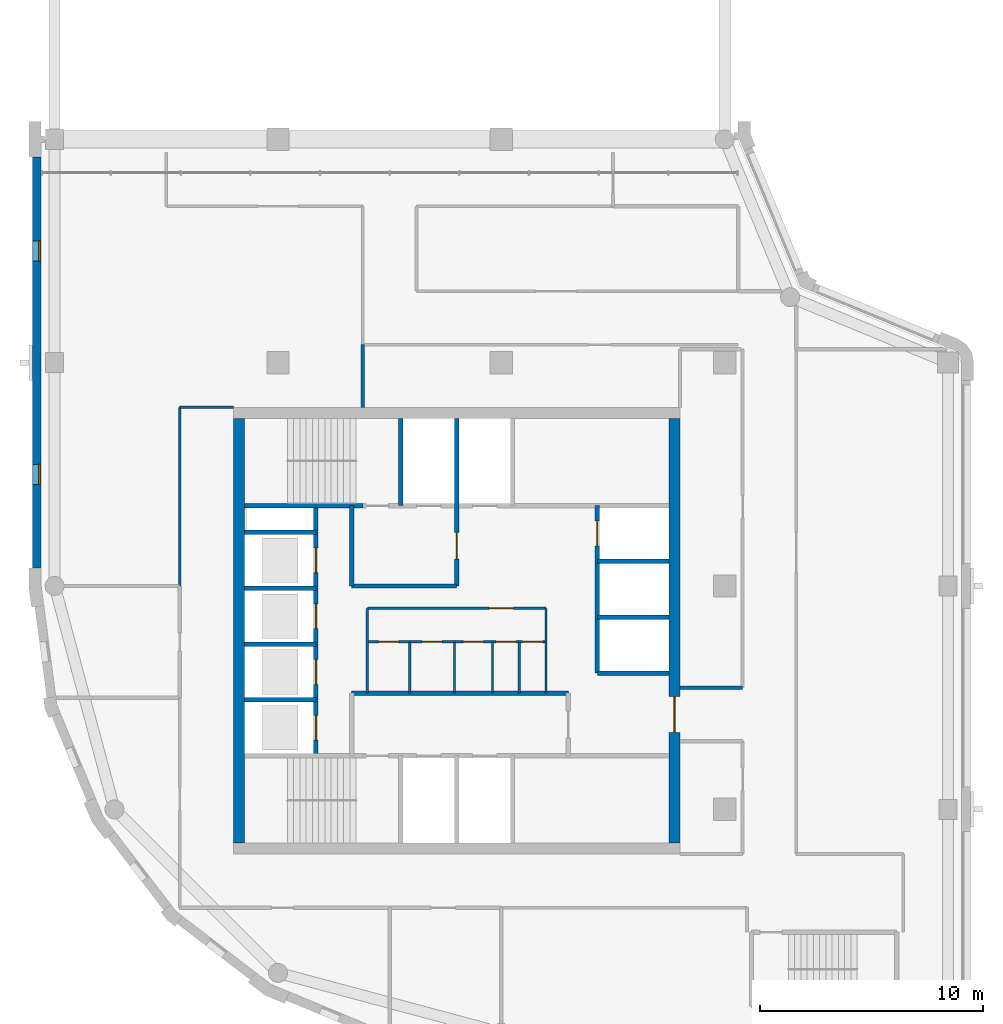
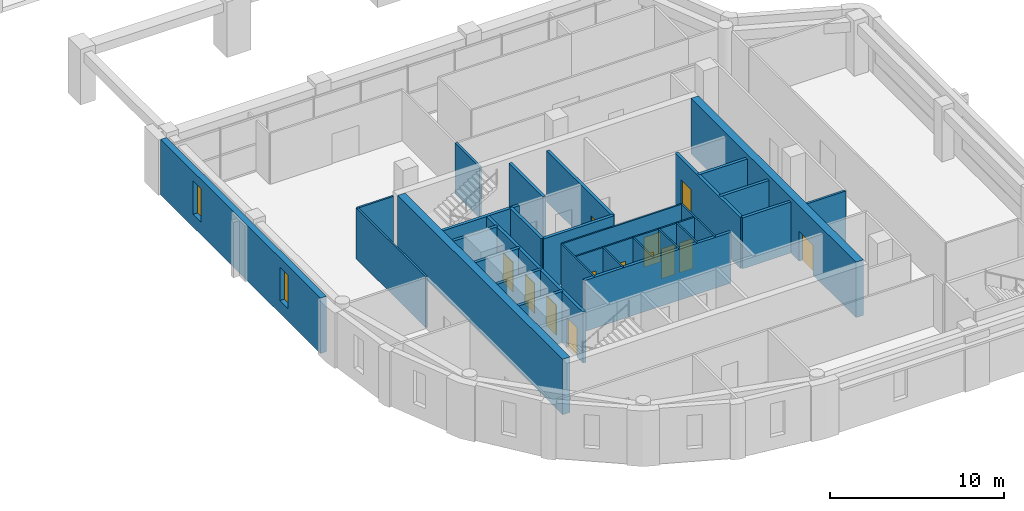
# One storey, part 6 of 11: 30 walls, 13 doors, 2 windows, 15 openings.
"""IFC4 building model written with IfcOpenShell, lengths in metres."""

from ifc_helpers import new_model, si_unit, direction, frame, frame_2d, origin, place, context, subcontext, project, spatial, rectangle, extrude, material, layer, layer_set, type_object, element, fill, save


model = new_model("IFC4")

# Units and contexts
model_context = context("Model", 3, precision=1e-05, world=origin(), true_north=direction((0.0, 1.0)))
body_context = subcontext(model_context, "Body", "Model", "MODEL_VIEW")
ifc_project = project(units=[si_unit("LENGTHUNIT", "METRE"), si_unit("AREAUNIT", "SQUARE_METRE"), si_unit("VOLUMEUNIT", "CUBIC_METRE"), si_unit("PLANEANGLEUNIT", "RADIAN"), si_unit("MASSUNIT", "GRAM", prefix="KILO")], contexts=[model_context])

# Site, building, storey
site_placement = place(None, origin())
site = spatial("IfcSite", under=ifc_project, at=site_placement, CompositionType="ELEMENT")
building_placement = place(site_placement, origin())
building = spatial("IfcBuilding", under=site, at=building_placement, Name="Qaws Garden Tower", CompositionType="ELEMENT")
storey_placement = place(building_placement, frame((0.0, 0.0, 325.5)))
storey = spatial("IfcBuildingStorey", under=building, at=storey_placement, Name="L79", CompositionType="ELEMENT", Elevation=325.5)

# Wall, openings, windows
ifc_material_1 = material(Name="Clay facing brick masonry", Category="masonry")
ifc_layer_1 = layer(ifc_material_1, 0.39990234375)
ifc_layer_set_1 = layer_set([ifc_layer_1], Name="Clay facing brick masonry")
wall_type_1 = type_object("IfcWallType", Name="Brick infill wall 400", PredefinedType="SOLIDWALL", material=ifc_layer_set_1)
wall_1_placement = place(storey_placement, frame((-0.800048828125, 39.199951171875, 0.0), z_axis=(0.0, 0.0, 1.0), x_axis=(0.0, -1.0, 0.0)))
wall_1 = element("IfcWall", 1, at=wall_1_placement, inside=storey, type_object=wall_type_1, Name="E-L79-infill-19", PredefinedType="SOLIDWALL", context=body_context, shape_type="SweptSolid", body=[
    extrude(rectangle(XDim=18.39990234375, YDim=0.39990234375, at=frame_2d((9.199951171875, 0.0))), origin(), (0.0, 0.0, 1.0), 3.89990234375),
])
opening_1_placement = place(wall_1_placement, frame((3.75, 0.0, 0.89990234375)))
opening_1 = element("IfcOpeningElement", 2, at=opening_1_placement, cuts=wall_1, Name="Opening W09", PredefinedType="OPENING", context=body_context, shape_type="SweptSolid", body=[
    extrude(rectangle(XDim=0.89990234375, YDim=2.35009765625, at=frame_2d((0.449951171875, 1.175048828125))), frame((0.0, 0.2099609375, 0.0), z_axis=(0.0, -1.0, 0.0), x_axis=(1.0, 0.0, 0.0)), (0.0, 0.0, 1.0), 0.419921875),
])
opening_2_placement = place(wall_1_placement, frame((13.75, 0.0, 0.89990234375)))
opening_2 = element("IfcOpeningElement", 3, at=opening_2_placement, cuts=wall_1, Name="Opening W09", PredefinedType="OPENING", context=body_context, shape_type="SweptSolid", body=[
    extrude(rectangle(XDim=0.89990234375, YDim=2.35009765625, at=frame_2d((0.449951171875, 1.175048828125))), frame((0.0, 0.2099609375, 0.0), z_axis=(0.0, -1.0, 0.0), x_axis=(1.0, 0.0, 0.0)), (0.0, 0.0, 1.0), 0.419921875),
])
ifc_material_2 = material(Name="Aluminium framed window, clear glazing", Category="aluminium")
window_type = type_object("IfcWindowType", Name="Slit window 900 x 2350", PartitioningType="SINGLE_PANEL", PredefinedType="WINDOW", material=ifc_material_2)
window_1_placement = place(opening_1_placement, origin())
window_1 = element("IfcWindow", 4, at=window_1_placement, inside=storey, type_object=window_type, Name="E-L79-window-19-0", OverallHeight=2.35009765625, OverallWidth=0.89990234375, PartitioningType="SINGLE_PANEL", PredefinedType="WINDOW", context=body_context, shape_type="SweptSolid", body=[
    extrude(rectangle(XDim=0.89990234375, YDim=2.35009765625, at=frame_2d((0.449951171875, 1.175048828125))), frame((0.0, 0.159912109375, 0.0), z_axis=(0.0, -1.0, 0.0), x_axis=(1.0, 0.0, 0.0)), (0.0, 0.0, 1.0), 0.06005859375),
])
fill(opening_1, window_1)
window_2_placement = place(opening_2_placement, origin())
window_2 = element("IfcWindow", 5, at=window_2_placement, inside=storey, type_object=window_type, Name="E-L79-window-20-0", OverallHeight=2.35009765625, OverallWidth=0.89990234375, PartitioningType="SINGLE_PANEL", PredefinedType="WINDOW", context=body_context, shape_type="SweptSolid", body=[
    extrude(rectangle(XDim=0.89990234375, YDim=2.35009765625, at=frame_2d((0.449951171875, 1.175048828125))), frame((0.0, 0.159912109375, 0.0), z_axis=(0.0, -1.0, 0.0), x_axis=(1.0, 0.0, 0.0)), (0.0, 0.0, 1.0), 0.06005859375),
])
fill(opening_2, window_2)

# Wall, openings, doors
ifc_material_3 = material(Name="Plasterboard")
ifc_layer_2 = layer(ifc_material_3, 0.10009765625)
ifc_layer_set_2 = layer_set([ifc_layer_2], Name="Plasterboard")
wall_type_2 = type_object("IfcWallType", Name="Core partition 100", PredefinedType="PARTITIONING", material=ifc_layer_set_2)
wall_2_placement = place(storey_placement, frame((14.0, 17.5, 0.0), z_axis=(0.0, 0.0, 1.0), x_axis=(1.0, 0.0, 0.0)))
wall_2 = element("IfcWall", 6, at=wall_2_placement, inside=storey, type_object=wall_type_2, Name="Core partition", PredefinedType="PARTITIONING", context=body_context, shape_type="SweptSolid", body=[
    extrude(rectangle(XDim=8.0, YDim=0.10009765625, at=frame_2d((4.0, 0.0))), origin(), (0.0, 0.0, 1.0), 3.580078125),
])
opening_3_placement = place(wall_2_placement, frame((0.5, 0.0, 0.0)))
opening_3 = element("IfcOpeningElement", 7, at=opening_3_placement, cuts=wall_2, Name="Opening WD18", PredefinedType="OPENING", context=body_context, shape_type="SweptSolid", body=[
    extrude(rectangle(XDim=0.89990234375, YDim=2.10009765625, at=frame_2d((0.449951171875, 1.050048828125))), frame((0.0, 0.06005859375, 0.0), z_axis=(0.0, -1.0, 0.0), x_axis=(1.0, 0.0, 0.0)), (0.0, 0.0, 1.0), 0.1201171875),
])
opening_4_placement = place(wall_2_placement, frame((2.449951171875, 0.0, 0.0)))
opening_4 = element("IfcOpeningElement", 8, at=opening_4_placement, cuts=wall_2, Name="Opening WD19", PredefinedType="OPENING", context=body_context, shape_type="SweptSolid", body=[
    extrude(rectangle(XDim=0.89990234375, YDim=2.10009765625, at=frame_2d((0.449951171875, 1.050048828125))), frame((0.0, 0.06005859375, 0.0), z_axis=(0.0, -1.0, 0.0), x_axis=(1.0, 0.0, 0.0)), (0.0, 0.0, 1.0), 0.1201171875),
])
opening_5_placement = place(wall_2_placement, frame((4.300048828125, 0.0, 0.0)))
opening_5 = element("IfcOpeningElement", 9, at=opening_5_placement, cuts=wall_2, Name="Opening WD20", PredefinedType="OPENING", context=body_context, shape_type="SweptSolid", body=[
    extrude(rectangle(XDim=0.89990234375, YDim=2.10009765625, at=frame_2d((0.449951171875, 1.050048828125))), frame((0.0, 0.06005859375, 0.0), z_axis=(0.0, -1.0, 0.0), x_axis=(1.0, 0.0, 0.0)), (0.0, 0.0, 1.0), 0.1201171875),
])
opening_6_placement = place(wall_2_placement, frame((5.75, 0.0, 0.0)))
opening_6 = element("IfcOpeningElement", 10, at=opening_6_placement, cuts=wall_2, Name="Opening WD21", PredefinedType="OPENING", context=body_context, shape_type="SweptSolid", body=[
    extrude(rectangle(XDim=0.89990234375, YDim=2.10009765625, at=frame_2d((0.449951171875, 1.050048828125))), frame((0.0, 0.06005859375, 0.0), z_axis=(0.0, -1.0, 0.0), x_axis=(1.0, 0.0, 0.0)), (0.0, 0.0, 1.0), 0.1201171875),
])
opening_7_placement = place(wall_2_placement, frame((6.949951171875, 0.0, 0.0)))
opening_7 = element("IfcOpeningElement", 11, at=opening_7_placement, cuts=wall_2, Name="Opening WD22", PredefinedType="OPENING", context=body_context, shape_type="SweptSolid", body=[
    extrude(rectangle(XDim=0.89990234375, YDim=2.10009765625, at=frame_2d((0.449951171875, 1.050048828125))), frame((0.0, 0.06005859375, 0.0), z_axis=(0.0, -1.0, 0.0), x_axis=(1.0, 0.0, 0.0)), (0.0, 0.0, 1.0), 0.1201171875),
])
ifc_material_4 = material(Name="Timber", Category="wood")
door_type_1 = type_object("IfcDoorType", Name="WC door 900x2100", OperationType="SINGLE_SWING_LEFT", PredefinedType="DOOR", material=ifc_material_4)
door_1_placement = place(opening_3_placement, frame((0.89990234375, 0.0, 0.0), z_axis=(0.0, 0.0, 1.0), x_axis=(-1.0, 0.0, 0.0)))
door_1 = element("IfcDoor", 12, at=door_1_placement, inside=storey, type_object=door_type_1, Name="Men's WC door", OperationType="SINGLE_SWING_LEFT", OverallHeight=2.10009765625, OverallWidth=0.89990234375, PredefinedType="DOOR", context=body_context, shape_type="SweptSolid", body=[
    extrude(rectangle(XDim=0.89990234375, YDim=2.10009765625, at=frame_2d((0.449951171875, 1.050048828125))), frame((0.0, 0.02490234375, 0.0), z_axis=(0.0, -1.0, 0.0), x_axis=(1.0, 0.0, 0.0)), (0.0, 0.0, 1.0), 0.050048828125),
])
fill(opening_3, door_1)
door_2_placement = place(opening_4_placement, frame((0.89990234375, 0.0, 0.0), z_axis=(0.0, 0.0, 1.0), x_axis=(-1.0, 0.0, 0.0)))
door_2 = element("IfcDoor", 13, at=door_2_placement, inside=storey, type_object=door_type_1, Name="Women's WC door", OperationType="SINGLE_SWING_LEFT", OverallHeight=2.10009765625, OverallWidth=0.89990234375, PredefinedType="DOOR", context=body_context, shape_type="SweptSolid", body=[
    extrude(rectangle(XDim=0.89990234375, YDim=2.10009765625, at=frame_2d((0.449951171875, 1.050048828125))), frame((0.0, 0.02490234375, 0.0), z_axis=(0.0, -1.0, 0.0), x_axis=(1.0, 0.0, 0.0)), (0.0, 0.0, 1.0), 0.050048828125),
])
fill(opening_4, door_2)
door_3_placement = place(opening_5_placement, frame((0.89990234375, 0.0, 0.0), z_axis=(0.0, 0.0, 1.0), x_axis=(-1.0, 0.0, 0.0)))
door_3 = element("IfcDoor", 14, at=door_3_placement, inside=storey, type_object=door_type_1, Name="Accessible WC door", OperationType="SINGLE_SWING_LEFT", OverallHeight=2.10009765625, OverallWidth=0.89990234375, PredefinedType="DOOR", context=body_context, shape_type="SweptSolid", body=[
    extrude(rectangle(XDim=0.89990234375, YDim=2.10009765625, at=frame_2d((0.449951171875, 1.050048828125))), frame((0.0, 0.02490234375, 0.0), z_axis=(0.0, -1.0, 0.0), x_axis=(1.0, 0.0, 0.0)), (0.0, 0.0, 1.0), 0.050048828125),
])
fill(opening_5, door_3)
door_4_placement = place(opening_6_placement, frame((0.89990234375, 0.0, 0.0), z_axis=(0.0, 0.0, 1.0), x_axis=(-1.0, 0.0, 0.0)))
door_4 = element("IfcDoor", 15, at=door_4_placement, inside=storey, type_object=door_type_1, Name="Linen store door", OperationType="SINGLE_SWING_LEFT", OverallHeight=2.10009765625, OverallWidth=0.89990234375, PredefinedType="DOOR", context=body_context, shape_type="SweptSolid", body=[
    extrude(rectangle(XDim=0.89990234375, YDim=2.10009765625, at=frame_2d((0.449951171875, 1.050048828125))), frame((0.0, 0.02490234375, 0.0), z_axis=(0.0, -1.0, 0.0), x_axis=(1.0, 0.0, 0.0)), (0.0, 0.0, 1.0), 0.050048828125),
])
fill(opening_6, door_4)
door_5_placement = place(opening_7_placement, frame((0.89990234375, 0.0, 0.0), z_axis=(0.0, 0.0, 1.0), x_axis=(-1.0, 0.0, 0.0)))
door_5 = element("IfcDoor", 16, at=door_5_placement, inside=storey, type_object=door_type_1, Name="Cleaner's store door", OperationType="SINGLE_SWING_LEFT", OverallHeight=2.10009765625, OverallWidth=0.89990234375, PredefinedType="DOOR", context=body_context, shape_type="SweptSolid", body=[
    extrude(rectangle(XDim=0.89990234375, YDim=2.10009765625, at=frame_2d((0.449951171875, 1.050048828125))), frame((0.0, 0.02490234375, 0.0), z_axis=(0.0, -1.0, 0.0), x_axis=(1.0, 0.0, 0.0)), (0.0, 0.0, 1.0), 0.050048828125),
])
fill(opening_7, door_5)

# Wall, opening, door
wall_3_placement = place(storey_placement, frame((14.0, 19.0, 0.0), z_axis=(0.0, 0.0, 1.0), x_axis=(1.0, 0.0, 0.0)))
wall_3 = element("IfcWall", 17, at=wall_3_placement, inside=storey, type_object=wall_type_2, Name="Core partition", PredefinedType="PARTITIONING", context=body_context, shape_type="SweptSolid", body=[
    extrude(rectangle(XDim=8.0, YDim=0.10009765625, at=frame_2d((4.0, 0.0))), origin(), (0.0, 0.0, 1.0), 3.580078125),
])
opening_8_placement = place(wall_3_placement, frame((5.449951171875, 0.0, 0.0)))
opening_8 = element("IfcOpeningElement", 18, at=opening_8_placement, cuts=wall_3, Name="Opening WL17", PredefinedType="OPENING", context=body_context, shape_type="SweptSolid", body=[
    extrude(rectangle(XDim=1.10009765625, YDim=2.10009765625, at=frame_2d((0.550048828125, 1.050048828125))), frame((0.0, 0.06005859375, 0.0), z_axis=(0.0, -1.0, 0.0), x_axis=(1.0, 0.0, 0.0)), (0.0, 0.0, 1.0), 0.1201171875),
])
ifc_material_5 = material(Name="Timber", Category="wood")
door_type_2 = type_object("IfcDoorType", Name="WC lobby door 1100x2100", OperationType="SINGLE_SWING_LEFT", PredefinedType="DOOR", material=ifc_material_5)
door_6_placement = place(opening_8_placement, frame((1.10009765625, 0.0, 0.0), z_axis=(0.0, 0.0, 1.0), x_axis=(-1.0, 0.0, 0.0)))
door_6 = element("IfcDoor", 19, at=door_6_placement, inside=storey, type_object=door_type_2, Name="WC lobby door", OperationType="SINGLE_SWING_LEFT", OverallHeight=2.10009765625, OverallWidth=1.10009765625, PredefinedType="DOOR", context=body_context, shape_type="SweptSolid", body=[
    extrude(rectangle(XDim=1.10009765625, YDim=2.10009765625, at=frame_2d((0.550048828125, 1.050048828125))), frame((0.0, 0.02490234375, 0.0), z_axis=(0.0, -1.0, 0.0), x_axis=(1.0, 0.0, 0.0)), (0.0, 0.0, 1.0), 0.050048828125),
])
fill(opening_8, door_6)

# Walls
wall_4_placement = place(storey_placement, frame((14.0, 15.199951171875, 0.0), z_axis=(0.0, 0.0, 1.0), x_axis=(0.0, 1.0, 0.0)))
element("IfcWall", 20, at=wall_4_placement, inside=storey, type_object=wall_type_2, Name="Core partition", PredefinedType="PARTITIONING", context=body_context, shape_type="SweptSolid", body=[
    extrude(rectangle(XDim=3.800048828125, YDim=0.10009765625, at=frame_2d((1.89990234375, 0.0))), origin(), (0.0, 0.0, 1.0), 3.580078125),
])
for number, where, z_axis, x_axis, name in (
    (21, (15.89990234375, 15.199951171875, 0.0), (0.0, 0.0, 1.0), (0.0, 1.0, 0.0), "Core partition"),
    (22, (17.89990234375, 15.199951171875, 0.0), (0.0, 0.0, 1.0), (0.0, 1.0, 0.0), "Core partition"),
    (23, (19.60009765625, 15.199951171875, 0.0), (0.0, 0.0, 1.0), (0.0, 1.0, 0.0), "Core partition"),
    (24, (20.800048828125, 15.199951171875, 0.0), (0.0, 0.0, 1.0), (0.0, 1.0, 0.0), "Core partition"),
):
    element("IfcWall", number, at=place(storey_placement, frame(where, z_axis=z_axis, x_axis=x_axis)), inside=storey, type_object=wall_type_2, Name=name, PredefinedType="PARTITIONING", context=body_context, shape_type="SweptSolid", body=[
        extrude(rectangle(XDim=2.300048828125, YDim=0.10009765625, at=frame_2d((1.14990234375, 0.0))), origin(), (0.0, 0.0, 1.0), 3.580078125),
    ])
wall_5_placement = place(storey_placement, frame((22.0, 15.199951171875, 0.0), z_axis=(0.0, 0.0, 1.0), x_axis=(0.0, 1.0, 0.0)))
element("IfcWall", 25, at=wall_5_placement, inside=storey, type_object=wall_type_2, Name="Core partition", PredefinedType="PARTITIONING", context=body_context, shape_type="SweptSolid", body=[
    extrude(rectangle(XDim=3.800048828125, YDim=0.10009765625, at=frame_2d((1.89990234375, 0.0))), origin(), (0.0, 0.0, 1.0), 3.580078125),
])
ifc_material_6 = material(Name="Concrete C60", Category="concrete")
ifc_layer_3 = layer(ifc_material_6, 0.199951171875)
ifc_layer_set_3 = layer_set([ifc_layer_3], Name="Concrete C60")
wall_type_3 = type_object("IfcWallType", Name="Core shaft wall 200 C60", PredefinedType="SHEAR", material=ifc_layer_set_3)
wall_6_placement = place(storey_placement, frame((8.5, 14.89990234375, 0.0), z_axis=(0.0, 0.0, 1.0), x_axis=(1.0, 0.0, 0.0)))
element("IfcWall", 26, at=wall_6_placement, inside=storey, type_object=wall_type_3, Name="Shaft wall", PredefinedType="SHEAR", context=body_context, shape_type="SweptSolid", body=[
    extrude(rectangle(XDim=3.199951171875, YDim=0.199951171875, at=frame_2d((1.60009765625, 0.0))), origin(), (0.0, 0.0, 1.0), 3.580078125),
])
wall_7_placement = place(storey_placement, frame((13.300048828125, 15.199951171875, 0.0), z_axis=(0.0, 0.0, 1.0), x_axis=(1.0, 0.0, 0.0)))
element("IfcWall", 27, at=wall_7_placement, inside=storey, type_object=wall_type_3, Name="Shaft wall", PredefinedType="SHEAR", context=body_context, shape_type="SweptSolid", body=[
    extrude(rectangle(XDim=9.699951171875, YDim=0.199951171875, at=frame_2d((4.85009765625, 0.0))), origin(), (0.0, 0.0, 1.0), 3.580078125),
])
for number, where, z_axis, x_axis, name in (
    (28, (24.300048828125, 16.10009765625, 0.0), (0.0, 0.0, 1.0), (1.0, 0.0, 0.0), "Shaft wall"),
    (29, (8.5, 17.39990234375, 0.0), (0.0, 0.0, 1.0), (1.0, 0.0, 0.0), "Shaft wall"),
    (30, (24.300048828125, 18.60009765625, 0.0), (0.0, 0.0, 1.0), (1.0, 0.0, 0.0), "Shaft wall"),
    (31, (8.5, 19.89990234375, 0.0), (0.0, 0.0, 1.0), (1.0, 0.0, 0.0), "Shaft wall"),
):
    element("IfcWall", number, at=place(storey_placement, frame(where, z_axis=z_axis, x_axis=x_axis)), inside=storey, type_object=wall_type_3, Name=name, PredefinedType="SHEAR", context=body_context, shape_type="SweptSolid", body=[
        extrude(rectangle(XDim=3.199951171875, YDim=0.199951171875, at=frame_2d((1.60009765625, 0.0))), origin(), (0.0, 0.0, 1.0), 3.580078125),
    ])
wall_8_placement = place(storey_placement, frame((13.300048828125, 20.0, 0.0), z_axis=(0.0, 0.0, 1.0), x_axis=(1.0, 0.0, 0.0)))
element("IfcWall", 32, at=wall_8_placement, inside=storey, type_object=wall_type_3, Name="Shaft wall", PredefinedType="SHEAR", context=body_context, shape_type="SweptSolid", body=[
    extrude(rectangle(XDim=4.699951171875, YDim=0.199951171875, at=frame_2d((2.35009765625, 0.0))), origin(), (0.0, 0.0, 1.0), 3.580078125),
])
for number, where, z_axis, x_axis, name in (
    (33, (24.300048828125, 21.10009765625, 0.0), (0.0, 0.0, 1.0), (1.0, 0.0, 0.0), "Shaft wall"),
    (34, (8.5, 22.39990234375, 0.0), (0.0, 0.0, 1.0), (1.0, 0.0, 0.0), "Shaft wall"),
):
    element("IfcWall", number, at=place(storey_placement, frame(where, z_axis=z_axis, x_axis=x_axis)), inside=storey, type_object=wall_type_3, Name=name, PredefinedType="SHEAR", context=body_context, shape_type="SweptSolid", body=[
        extrude(rectangle(XDim=3.199951171875, YDim=0.199951171875, at=frame_2d((1.60009765625, 0.0))), origin(), (0.0, 0.0, 1.0), 3.580078125),
    ])
wall_9_placement = place(storey_placement, frame((8.5, 23.60009765625, 0.0), z_axis=(0.0, 0.0, 1.0), x_axis=(1.0, 0.0, 0.0)))
element("IfcWall", 35, at=wall_9_placement, inside=storey, type_object=wall_type_3, Name="Shaft wall", PredefinedType="SHEAR", context=body_context, shape_type="SweptSolid", body=[
    extrude(rectangle(XDim=5.300048828125, YDim=0.199951171875, at=frame_2d((2.64990234375, 0.0))), origin(), (0.0, 0.0, 1.0), 3.580078125),
])

# Wall, openings, doors
wall_10_placement = place(storey_placement, frame((11.699951171875, 12.39990234375, 0.0), z_axis=(0.0, 0.0, 1.0), x_axis=(0.0, 1.0, 0.0)))
wall_10 = element("IfcWall", 36, at=wall_10_placement, inside=storey, type_object=wall_type_3, Name="Shaft wall", PredefinedType="SHEAR", context=body_context, shape_type="SweptSolid", body=[
    extrude(rectangle(XDim=11.2001953125, YDim=0.199951171875, at=frame_2d((5.60009765625, 0.0))), origin(), (0.0, 0.0, 1.0), 3.580078125),
])
opening_9_placement = place(wall_10_placement, frame((0.699951171875, 0.0, 0.0)))
opening_9 = element("IfcOpeningElement", 37, at=opening_9_placement, cuts=wall_10, Name="Opening LD01", PredefinedType="OPENING", context=body_context, shape_type="SweptSolid", body=[
    extrude(rectangle(XDim=1.10009765625, YDim=2.10009765625, at=frame_2d((0.550048828125, 1.050048828125))), frame((0.0, 0.10986328125, 0.0), z_axis=(0.0, -1.0, 0.0), x_axis=(1.0, 0.0, 0.0)), (0.0, 0.0, 1.0), 0.219970703125),
])
opening_10_placement = place(wall_10_placement, frame((3.199951171875, 0.0, 0.0)))
opening_10 = element("IfcOpeningElement", 38, at=opening_10_placement, cuts=wall_10, Name="Opening LD02", PredefinedType="OPENING", context=body_context, shape_type="SweptSolid", body=[
    extrude(rectangle(XDim=1.10009765625, YDim=2.10009765625, at=frame_2d((0.550048828125, 1.050048828125))), frame((0.0, 0.10986328125, 0.0), z_axis=(0.0, -1.0, 0.0), x_axis=(1.0, 0.0, 0.0)), (0.0, 0.0, 1.0), 0.219970703125),
])
opening_11_placement = place(wall_10_placement, frame((5.699951171875, 0.0, 0.0)))
opening_11 = element("IfcOpeningElement", 39, at=opening_11_placement, cuts=wall_10, Name="Opening LD03", PredefinedType="OPENING", context=body_context, shape_type="SweptSolid", body=[
    extrude(rectangle(XDim=1.10009765625, YDim=2.10009765625, at=frame_2d((0.550048828125, 1.050048828125))), frame((0.0, 0.10986328125, 0.0), z_axis=(0.0, -1.0, 0.0), x_axis=(1.0, 0.0, 0.0)), (0.0, 0.0, 1.0), 0.219970703125),
])
opening_12_placement = place(wall_10_placement, frame((8.199951171875, 0.0, 0.0)))
opening_12 = element("IfcOpeningElement", 40, at=opening_12_placement, cuts=wall_10, Name="Opening LD04", PredefinedType="OPENING", context=body_context, shape_type="SweptSolid", body=[
    extrude(rectangle(XDim=1.10009765625, YDim=2.10009765625, at=frame_2d((0.550048828125, 1.050048828125))), frame((0.0, 0.10986328125, 0.0), z_axis=(0.0, -1.0, 0.0), x_axis=(1.0, 0.0, 0.0)), (0.0, 0.0, 1.0), 0.219970703125),
])
ifc_material_7 = material(Name="Steel S235", Category="steel")
door_type_3 = type_object("IfcDoorType", Name="Landing door 1100x2100", OperationType="DOUBLE_DOOR_SLIDING", PredefinedType="DOOR", material=ifc_material_7)
door_7_placement = place(opening_9_placement, origin())
door_7 = element("IfcDoor", 41, at=door_7_placement, inside=storey, type_object=door_type_3, Name="Lift W1 landing door", OperationType="DOUBLE_DOOR_SLIDING", OverallHeight=2.10009765625, OverallWidth=1.10009765625, PredefinedType="DOOR", context=body_context, shape_type="SweptSolid", body=[
    extrude(rectangle(XDim=1.10009765625, YDim=2.10009765625, at=frame_2d((0.550048828125, 1.050048828125))), frame((0.0, 0.02490234375, 0.0), z_axis=(0.0, -1.0, 0.0), x_axis=(1.0, 0.0, 0.0)), (0.0, 0.0, 1.0), 0.050048828125),
])
fill(opening_9, door_7)
door_8_placement = place(opening_10_placement, origin())
door_8 = element("IfcDoor", 42, at=door_8_placement, inside=storey, type_object=door_type_3, Name="Lift W2 landing door", OperationType="DOUBLE_DOOR_SLIDING", OverallHeight=2.10009765625, OverallWidth=1.10009765625, PredefinedType="DOOR", context=body_context, shape_type="SweptSolid", body=[
    extrude(rectangle(XDim=1.10009765625, YDim=2.10009765625, at=frame_2d((0.550048828125, 1.050048828125))), frame((0.0, 0.02490234375, 0.0), z_axis=(0.0, -1.0, 0.0), x_axis=(1.0, 0.0, 0.0)), (0.0, 0.0, 1.0), 0.050048828125),
])
fill(opening_10, door_8)
door_9_placement = place(opening_11_placement, origin())
door_9 = element("IfcDoor", 43, at=door_9_placement, inside=storey, type_object=door_type_3, Name="Lift W3 landing door", OperationType="DOUBLE_DOOR_SLIDING", OverallHeight=2.10009765625, OverallWidth=1.10009765625, PredefinedType="DOOR", context=body_context, shape_type="SweptSolid", body=[
    extrude(rectangle(XDim=1.10009765625, YDim=2.10009765625, at=frame_2d((0.550048828125, 1.050048828125))), frame((0.0, 0.02490234375, 0.0), z_axis=(0.0, -1.0, 0.0), x_axis=(1.0, 0.0, 0.0)), (0.0, 0.0, 1.0), 0.050048828125),
])
fill(opening_11, door_9)
door_10_placement = place(opening_12_placement, origin())
door_10 = element("IfcDoor", 44, at=door_10_placement, inside=storey, type_object=door_type_3, Name="Lift W4 landing door", OperationType="DOUBLE_DOOR_SLIDING", OverallHeight=2.10009765625, OverallWidth=1.10009765625, PredefinedType="DOOR", context=body_context, shape_type="SweptSolid", body=[
    extrude(rectangle(XDim=1.10009765625, YDim=2.10009765625, at=frame_2d((0.550048828125, 1.050048828125))), frame((0.0, 0.02490234375, 0.0), z_axis=(0.0, -1.0, 0.0), x_axis=(1.0, 0.0, 0.0)), (0.0, 0.0, 1.0), 0.050048828125),
])
fill(opening_12, door_10)

# Walls
wall_11_placement = place(storey_placement, frame((13.300048828125, 20.0, 0.0), z_axis=(0.0, 0.0, 1.0), x_axis=(0.0, 1.0, 0.0)))
element("IfcWall", 45, at=wall_11_placement, inside=storey, type_object=wall_type_3, Name="Shaft wall", PredefinedType="SHEAR", context=body_context, shape_type="SweptSolid", body=[
    extrude(rectangle(XDim=3.60009765625, YDim=0.199951171875, at=frame_2d((1.800048828125, 0.0))), origin(), (0.0, 0.0, 1.0), 3.580078125),
])
wall_12_placement = place(storey_placement, frame((15.5, 23.60009765625, 0.0), z_axis=(0.0, 0.0, 1.0), x_axis=(0.0, 1.0, 0.0)))
element("IfcWall", 46, at=wall_12_placement, inside=storey, type_object=wall_type_3, Name="Shaft wall", PredefinedType="SHEAR", context=body_context, shape_type="SweptSolid", body=[
    extrude(rectangle(XDim=3.89990234375, YDim=0.199951171875, at=frame_2d((1.949951171875, 0.0))), origin(), (0.0, 0.0, 1.0), 3.580078125),
])

# Wall, opening, door
wall_13_placement = place(storey_placement, frame((18.0, 20.0, 0.0), z_axis=(0.0, 0.0, 1.0), x_axis=(0.0, 1.0, 0.0)))
wall_13 = element("IfcWall", 47, at=wall_13_placement, inside=storey, type_object=wall_type_3, Name="Shaft wall", PredefinedType="SHEAR", context=body_context, shape_type="SweptSolid", body=[
    extrude(rectangle(XDim=7.5, YDim=0.199951171875, at=frame_2d((3.75, 0.0))), origin(), (0.0, 0.0, 1.0), 3.580078125),
])
opening_13_placement = place(wall_13_placement, frame((1.199951171875, 0.0, 0.0)))
opening_13 = element("IfcOpeningElement", 48, at=opening_13_placement, cuts=wall_13, Name="Opening FD16", PredefinedType="OPENING", context=body_context, shape_type="SweptSolid", body=[
    extrude(rectangle(XDim=1.199951171875, YDim=2.10009765625, at=frame_2d((0.60009765625, 1.050048828125))), frame((0.0, 0.10986328125, 0.0), z_axis=(0.0, -1.0, 0.0), x_axis=(1.0, 0.0, 0.0)), (0.0, 0.0, 1.0), 0.219970703125),
])
ifc_material_8 = material(Name="Steel S235", Category="steel")
door_type_4 = type_object("IfcDoorType", Name="Lobby door 1200x2100", OperationType="DOUBLE_DOOR_SINGLE_SWING", PredefinedType="DOOR", material=ifc_material_8)
door_11_placement = place(opening_13_placement, origin())
door_11 = element("IfcDoor", 49, at=door_11_placement, inside=storey, type_object=door_type_4, Name="Fire-fighting lobby door", OperationType="DOUBLE_DOOR_SINGLE_SWING", OverallHeight=2.10009765625, OverallWidth=1.199951171875, PredefinedType="DOOR", context=body_context, shape_type="SweptSolid", body=[
    extrude(rectangle(XDim=1.199951171875, YDim=2.10009765625, at=frame_2d((0.60009765625, 1.050048828125))), frame((0.0, 0.02490234375, 0.0), z_axis=(0.0, -1.0, 0.0), x_axis=(1.0, 0.0, 0.0)), (0.0, 0.0, 1.0), 0.050048828125),
])
fill(opening_13, door_11)

wall_14_placement = place(storey_placement, frame((24.300048828125, 16.10009765625, 0.0), z_axis=(0.0, 0.0, 1.0), x_axis=(0.0, 1.0, 0.0)))
wall_14 = element("IfcWall", 50, at=wall_14_placement, inside=storey, type_object=wall_type_3, Name="Shaft wall", PredefinedType="SHEAR", context=body_context, shape_type="SweptSolid", body=[
    extrude(rectangle(XDim=7.5, YDim=0.199951171875, at=frame_2d((3.75, 0.0))), origin(), (0.0, 0.0, 1.0), 3.580078125),
])
opening_14_placement = place(wall_14_placement, frame((5.699951171875, 0.0, 0.0)))
opening_14 = element("IfcOpeningElement", 51, at=opening_14_placement, cuts=wall_14, Name="Opening LD05", PredefinedType="OPENING", context=body_context, shape_type="SweptSolid", body=[
    extrude(rectangle(XDim=1.10009765625, YDim=2.10009765625, at=frame_2d((0.550048828125, 1.050048828125))), frame((0.0, 0.10986328125, 0.0), z_axis=(0.0, -1.0, 0.0), x_axis=(1.0, 0.0, 0.0)), (0.0, 0.0, 1.0), 0.219970703125),
])
door_12_placement = place(opening_14_placement, origin())
door_12 = element("IfcDoor", 52, at=door_12_placement, inside=storey, type_object=door_type_3, Name="Lift E3 landing door", OperationType="DOUBLE_DOOR_SLIDING", OverallHeight=2.10009765625, OverallWidth=1.10009765625, PredefinedType="DOOR", context=body_context, shape_type="SweptSolid", body=[
    extrude(rectangle(XDim=1.10009765625, YDim=2.10009765625, at=frame_2d((0.550048828125, 1.050048828125))), frame((0.0, 0.02490234375, 0.0), z_axis=(0.0, -1.0, 0.0), x_axis=(1.0, 0.0, 0.0)), (0.0, 0.0, 1.0), 0.050048828125),
])
fill(opening_14, door_12)

ifc_material_9 = material(Name="Concrete C60", Category="concrete")
ifc_layer_4 = layer(ifc_material_9, 0.5)
ifc_layer_set_4 = layer_set([ifc_layer_4], Name="Concrete C60")
wall_type_4 = type_object("IfcWallType", Name="Core wall 500 C60", PredefinedType="SHEAR", material=ifc_layer_set_4)
wall_15_placement = place(storey_placement, frame((27.75, 8.5, 0.0), z_axis=(0.0, 0.0, 1.0), x_axis=(0.0, 1.0, 0.0)))
wall_15 = element("IfcWall", 53, at=wall_15_placement, inside=storey, type_object=wall_type_4, Name="Core wall L79 east", PredefinedType="SHEAR", context=body_context, shape_type="SweptSolid", body=[
    extrude(rectangle(XDim=19.0, YDim=0.5, at=frame_2d((9.5, 0.0))), origin(), (0.0, 0.0, 1.0), 3.89990234375),
])
opening_15_placement = place(wall_15_placement, frame((4.949951171875, 0.0, 0.0)))
opening_15 = element("IfcOpeningElement", 54, at=opening_15_placement, cuts=wall_15, Name="Opening ED23", PredefinedType="OPENING", context=body_context, shape_type="SweptSolid", body=[
    extrude(rectangle(XDim=1.60009765625, YDim=2.10009765625, at=frame_2d((0.800048828125, 1.050048828125))), frame((0.0, 0.260009765625, 0.0), z_axis=(0.0, -1.0, 0.0), x_axis=(1.0, 0.0, 0.0)), (0.0, 0.0, 1.0), 0.52001953125),
])
ifc_material_10 = material(Name="Steel S235", Category="steel")
door_type_5 = type_object("IfcDoorType", Name="Core entrance door 1600x2100", OperationType="DOUBLE_DOOR_SINGLE_SWING", PredefinedType="DOOR", material=ifc_material_10)
door_13_placement = place(opening_15_placement, origin())
door_13 = element("IfcDoor", 55, at=door_13_placement, inside=storey, type_object=door_type_5, Name="Core entrance door", OperationType="DOUBLE_DOOR_SINGLE_SWING", OverallHeight=2.10009765625, OverallWidth=1.60009765625, PredefinedType="DOOR", context=body_context, shape_type="SweptSolid", body=[
    extrude(rectangle(XDim=1.60009765625, YDim=2.10009765625, at=frame_2d((0.800048828125, 1.050048828125))), frame((0.0, 0.02490234375, 0.0), z_axis=(0.0, -1.0, 0.0), x_axis=(1.0, 0.0, 0.0)), (0.0, 0.0, 1.0), 0.050048828125),
])
fill(opening_15, door_13)

# Walls
wall_16_placement = place(storey_placement, frame((8.25, 27.5, 0.0), z_axis=(0.0, 0.0, 1.0), x_axis=(0.0, -1.0, 0.0)))
element("IfcWall", 56, at=wall_16_placement, inside=storey, type_object=wall_type_4, Name="Core wall L79 west", PredefinedType="SHEAR", context=body_context, shape_type="SweptSolid", body=[
    extrude(rectangle(XDim=19.0, YDim=0.5, at=frame_2d((9.5, 0.0))), origin(), (0.0, 0.0, 1.0), 3.89990234375),
])
ifc_material_11 = material(Name="Glass and aluminium framing", Category="aluminium")
ifc_layer_5 = layer(ifc_material_11, 0.1201171875)
ifc_layer_set_5 = layer_set([ifc_layer_5], Name="Glass and aluminium framing")
wall_type_5 = type_object("IfcWallType", Name="GLAZED PARTITION 120 EI 30", PredefinedType="PARTITIONING", material=ifc_layer_set_5)
wall_17_placement = place(storey_placement, frame((5.60009765625, 20.0, 0.0), z_axis=(0.0, 0.0, 1.0), x_axis=(0.0, 1.0, 0.0)))
element("IfcWall", 57, at=wall_17_placement, inside=storey, type_object=wall_type_5, Name="O-L79-wall-025", PredefinedType="PARTITIONING", context=body_context, shape_type="SweptSolid", body=[
    extrude(rectangle(XDim=8.0, YDim=0.1201171875, at=frame_2d((4.0, 0.0))), origin(), (0.0, 0.0, 1.0), 3.580078125),
])
wall_18_placement = place(storey_placement, frame((5.60009765625, 28.0, 0.0), z_axis=(0.0, 0.0, 1.0), x_axis=(1.0, 0.0, 0.0)))
element("IfcWall", 58, at=wall_18_placement, inside=storey, type_object=wall_type_5, Name="O-L79-wall-035", PredefinedType="PARTITIONING", context=body_context, shape_type="SweptSolid", body=[
    extrude(rectangle(XDim=2.39990234375, YDim=0.1201171875, at=frame_2d((1.199951171875, 0.0))), origin(), (0.0, 0.0, 1.0), 3.580078125),
])
ifc_material_12 = material(Name="Gypsum board partition")
ifc_layer_6 = layer(ifc_material_12, 0.14990234375)
ifc_layer_set_6 = layer_set([ifc_layer_6], Name="Gypsum board partition")
wall_type_6 = type_object("IfcWallType", Name="PARTITION 150 EI 60", PredefinedType="PARTITIONING", material=ifc_layer_set_6)
wall_19_placement = place(storey_placement, frame((13.800048828125, 28.0, 0.0), z_axis=(0.0, 0.0, 1.0), x_axis=(0.0, 1.0, 0.0)))
element("IfcWall", 59, at=wall_19_placement, inside=storey, type_object=wall_type_6, Name="O-L79-wall-002", PredefinedType="PARTITIONING", context=body_context, shape_type="SweptSolid", body=[
    extrude(rectangle(XDim=2.801025390625, YDim=0.14990234375, at=frame_2d((1.400390625, 0.0))), origin(), (0.0, 0.0, 1.0), 3.580078125),
])
wall_20_placement = place(storey_placement, frame((28.0, 15.449951171875, 0.0), z_axis=(0.0, 0.0, 1.0), x_axis=(1.0, 0.0, 0.0)))
element("IfcWall", 60, at=wall_20_placement, inside=storey, type_object=wall_type_6, Name="O-L79-wall-016", PredefinedType="PARTITIONING", context=body_context, shape_type="SweptSolid", body=[
    extrude(rectangle(XDim=2.800048828125, YDim=0.14990234375, at=frame_2d((1.39990234375, 0.0))), origin(), (0.0, 0.0, 1.0), 3.580078125),
])

save(model, "model.ifc")
